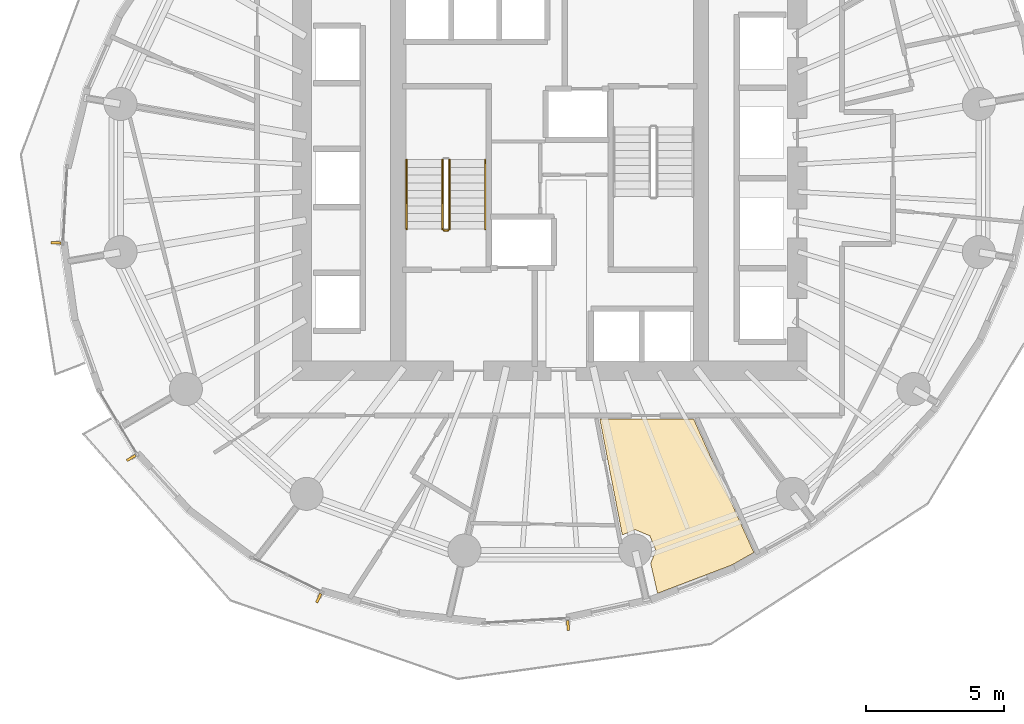
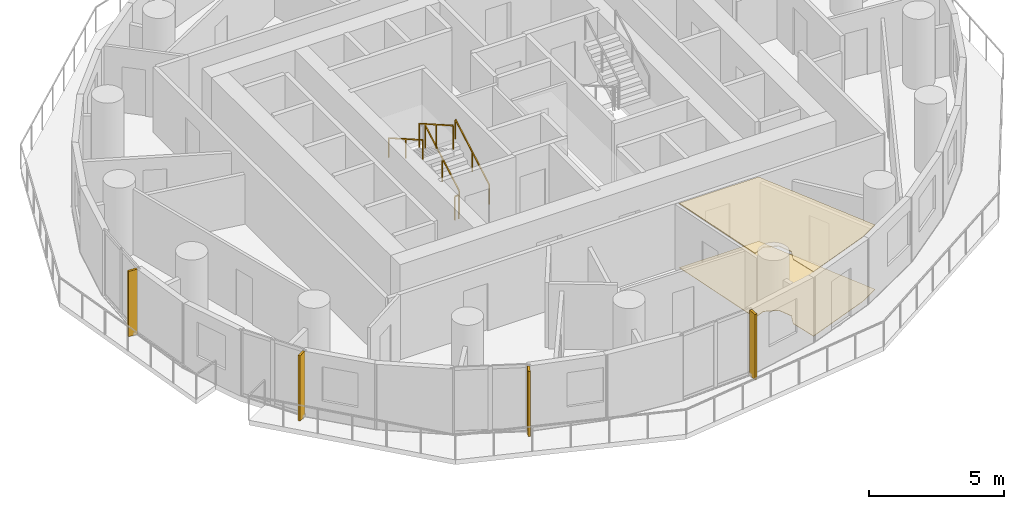
# One storey, part 11 of 15: 5 railings, 4 shading devices, 2 coverings.
"""IFC4 building model written with IfcOpenShell, lengths in metres."""

from ifc_helpers import new_model, si_unit, direction, frame, origin, origin_2d, place, context, subcontext, project, spatial, polyline, rectangle, outline, extrude, material, layer, layer_set, type_object, element, save


model = new_model("IFC4")

# Units and contexts
model_context = context("Model", 3, precision=1e-05, world=origin(), true_north=direction((0.0, 1.0)))
body_context = subcontext(model_context, "Body", "Model", "MODEL_VIEW")
ifc_project = project(units=[si_unit("LENGTHUNIT", "METRE"), si_unit("AREAUNIT", "SQUARE_METRE"), si_unit("VOLUMEUNIT", "CUBIC_METRE"), si_unit("PLANEANGLEUNIT", "RADIAN"), si_unit("MASSUNIT", "GRAM", prefix="KILO")], contexts=[model_context])

# Site, building, storey
site_placement = place(None, origin())
site = spatial("IfcSite", under=ifc_project, at=site_placement, CompositionType="ELEMENT")
building_placement = place(site_placement, origin())
building = spatial("IfcBuilding", under=site, at=building_placement, Name="Veldorim Arch Residences", CompositionType="ELEMENT")
storey_placement = place(building_placement, frame((0.0, 0.0, 106.080078125)))
storey = spatial("IfcBuildingStorey", under=building, at=storey_placement, Name="L31", CompositionType="ELEMENT", Elevation=106.080078125)

# Railings
ifc_material_1 = material(Name="Steel S355", Category="steel")
railing_type_1 = type_object("IfcRailingType", Name="Galvanised Steel Stair Safety Guardrail 1100", PredefinedType="GUARDRAIL", material=ifc_material_1)
railing_1_placement = place(storey_placement, frame((28.360107421875, 22.14990234375, 0.159912109375)))
element("IfcRailing", 1, at=railing_1_placement, inside=storey, type_object=railing_type_1, Name="L31 ST-1 stair guard 1", PredefinedType="GUARDRAIL", context=body_context, shape_type="SweptSolid", body=[
    extrude(rectangle(XDim=0.048095703125, YDim=0.048095703125, at=origin_2d()), frame((0.0, 0.0, 1.076171875), z_axis=(0.0, 0.868253494771, 0.496120820787), x_axis=(-1.0, 0.0, 0.0)), (0.0, 0.0, 1.0), 2.90234375),
    extrude(rectangle(XDim=0.0419921875, YDim=0.0419921875, at=origin_2d()), origin(), (0.0, 0.0, 1.0), 1.052001953125),
    extrude(rectangle(XDim=0.0419921875, YDim=0.0419921875, at=origin_2d()), frame((0.0, 1.260009765625, 0.719970703125)), (0.0, 0.0, 1.0), 1.052001953125),
    extrude(rectangle(XDim=0.0419921875, YDim=0.0419921875, at=origin_2d()), frame((0.0, 2.52001953125, 1.43994140625)), (0.0, 0.0, 1.0), 1.052001953125),
])
railing_2_placement = place(storey_placement, frame((28.10009765625, 24.669921875, 1.760009765625)))
element("IfcRailing", 2, at=railing_2_placement, inside=storey, type_object=railing_type_1, Name="L31 ST-1 stair guard 3", PredefinedType="GUARDRAIL", context=body_context, shape_type="SweptSolid", body=[
    extrude(rectangle(XDim=0.048095703125, YDim=0.048095703125, at=origin_2d()), frame((0.0, 0.0, 1.076171875), z_axis=(0.0, -0.868253494771, 0.496120820787), x_axis=(1.0, 0.0, 0.0)), (0.0, 0.0, 1.0), 2.90234375),
    extrude(rectangle(XDim=0.0419921875, YDim=0.0419921875, at=origin_2d()), origin(), (0.0, 0.0, 1.0), 1.052001953125),
    extrude(rectangle(XDim=0.0419921875, YDim=0.0419921875, at=origin_2d()), frame((0.0, -1.260009765625, 0.719970703125)), (0.0, 0.0, 1.0), 1.052001953125),
    extrude(rectangle(XDim=0.0419921875, YDim=0.0419921875, at=origin_2d()), frame((0.0, -2.52001953125, 1.43994140625)), (0.0, 0.0, 1.0), 1.052001953125),
])
railing_3_placement = place(storey_placement, frame((28.31005859375, 22.10009765625, 0.0)))
element("IfcRailing", 3, at=railing_3_placement, inside=storey, type_object=railing_type_1, Name="L31 ST-1 stair guard 4", PredefinedType="GUARDRAIL", context=body_context, shape_type="SweptSolid", body=[
    extrude(rectangle(XDim=0.048095703125, YDim=0.048095703125, at=origin_2d()), frame((0.0, 0.0, 1.076171875), z_axis=(-1.0, 0.0, 0.0), x_axis=(0.0, -1.0, 0.0)), (0.0, 0.0, 1.0), 0.16015625),
    extrude(rectangle(XDim=0.0419921875, YDim=0.0419921875, at=origin_2d()), origin(), (0.0, 0.0, 1.0), 1.052001953125),
    extrude(rectangle(XDim=0.0419921875, YDim=0.0419921875, at=origin_2d()), frame((-0.16015625, 0.0, 0.0)), (0.0, 0.0, 1.0), 1.052001953125),
])

# Coverings
ifc_material_2 = material(Name="Acoustic Gypsum & Mineral Fibre", Category="gypsum")
ifc_layer_1 = layer(ifc_material_2, 0.034912109375, Name="Perforated Acoustic Mineral-Fibre Ceiling 35")
ifc_layer_set_1 = layer_set([ifc_layer_1], Name="Acoustic Gypsum & Mineral Fibre")
covering_type_1 = type_object("IfcCoveringType", Name="Perforated Acoustic Mineral-Fibre Ceiling 35", PredefinedType="CEILING", material=ifc_layer_set_1)
covering_1_placement = place(storey_placement, frame((0.0, 0.0, 2.905029296875)))
element("IfcCovering", 4, at=covering_1_placement, inside=storey, type_object=covering_type_1, Name="L31 acoustic suspended ceiling 02", PredefinedType="CEILING", context=body_context, shape_type="SweptSolid", body=[
    extrude(outline(polyline([(33.820068359375, 15.25), (37.226318359375, 15.25), (39.418701171875, 10.39453125), (38.6162109375, 9.939697265625), (35.91943359375, 8.912109375), (35.669921875, 10.001708984375), (35.86181640625, 10.465087890625), (35.63916015625, 11.00244140625), (35.101806640625, 11.22509765625), (34.63818359375, 11.033203125), (33.820068359375, 15.25)])), origin(), (0.0, 0.0, 1.0), 0.034912109375),
])
ifc_material_3 = material(Name="Porcelain Ceramic Tile", Category="ceramic")
ifc_layer_2 = layer(ifc_material_3, 0.02001953125, Name="Slip-Resistant Porcelain & Vinyl Floor Finish 20")
ifc_layer_set_2 = layer_set([ifc_layer_2], Name="Porcelain Ceramic Tile")
covering_type_2 = type_object("IfcCoveringType", Name="Slip-Resistant Porcelain & Vinyl Floor Finish 20", PredefinedType="FLOORING", material=ifc_layer_set_2)
covering_2_placement = place(storey_placement, origin())
element("IfcCovering", 5, at=covering_2_placement, inside=storey, type_object=covering_type_2, Name="L31 porcelain floor finish 02", PredefinedType="FLOORING", context=body_context, shape_type="SweptSolid", body=[
    extrude(outline(polyline([(33.820068359375, 15.25), (37.226318359375, 15.25), (39.418701171875, 10.39453125), (38.6162109375, 9.939697265625), (35.91943359375, 8.912109375), (35.669921875, 10.001708984375), (35.86181640625, 10.465087890625), (35.63916015625, 11.00244140625), (35.101806640625, 11.22509765625), (34.63818359375, 11.033203125), (33.820068359375, 15.25)])), origin(), (0.0, 0.0, 1.0), 0.02001953125),
])

# Railings
ifc_material_4 = material(Name="Stainless Steel", Category="steel")
railing_type_2 = type_object("IfcRailingType", Name="Tubular Steel Continuous Wall Handrail 900", PredefinedType="HANDRAIL", material=ifc_material_4)
railing_4_placement = place(storey_placement, frame((29.659912109375, 22.14990234375, 0.159912109375)))
element("IfcRailing", 6, at=railing_4_placement, inside=storey, type_object=railing_type_2, Name="L31 ST-1 stair handrail 1", PredefinedType="HANDRAIL", context=body_context, shape_type="SweptSolid", body=[
    extrude(rectangle(XDim=0.048095703125, YDim=0.048095703125, at=origin_2d()), frame((0.0, 0.0, 0.8759765625), z_axis=(0.0, 0.868253494771, 0.496120820787), x_axis=(-1.0, 0.0, 0.0)), (0.0, 0.0, 1.0), 2.90234375),
    extrude(rectangle(XDim=0.0419921875, YDim=0.0419921875, at=origin_2d()), origin(), (0.0, 0.0, 1.0), 0.851806640625),
    extrude(rectangle(XDim=0.0419921875, YDim=0.0419921875, at=origin_2d()), frame((0.0, 1.260009765625, 0.719970703125)), (0.0, 0.0, 1.0), 0.851806640625),
    extrude(rectangle(XDim=0.0419921875, YDim=0.0419921875, at=origin_2d()), frame((0.0, 2.52001953125, 1.43994140625)), (0.0, 0.0, 1.0), 0.851806640625),
])
railing_5_placement = place(storey_placement, frame((26.800048828125, 24.669921875, 1.760009765625)))
element("IfcRailing", 7, at=railing_5_placement, inside=storey, type_object=railing_type_2, Name="L31 ST-1 stair handrail 2", PredefinedType="HANDRAIL", context=body_context, shape_type="SweptSolid", body=[
    extrude(rectangle(XDim=0.048095703125, YDim=0.048095703125, at=origin_2d()), frame((0.0, 0.0, 0.8759765625), z_axis=(0.0, -0.868253494771, 0.496120820787), x_axis=(1.0, 0.0, 0.0)), (0.0, 0.0, 1.0), 2.90234375),
    extrude(rectangle(XDim=0.0419921875, YDim=0.0419921875, at=origin_2d()), origin(), (0.0, 0.0, 1.0), 0.851806640625),
    extrude(rectangle(XDim=0.0419921875, YDim=0.0419921875, at=origin_2d()), frame((0.0, -1.260009765625, 0.719970703125)), (0.0, 0.0, 1.0), 0.851806640625),
    extrude(rectangle(XDim=0.0419921875, YDim=0.0419921875, at=origin_2d()), frame((0.0, -2.52001953125, 1.43994140625)), (0.0, 0.0, 1.0), 0.851806640625),
])

# Shading devices
ifc_material_5 = material(Name="Terracotta Ceramic", Category="masonry")
ifc_layer_3 = layer(ifc_material_5, 0.090087890625, Name="Vertical Extruded Terracotta Baguette Sun-Shading Fin")
ifc_layer_set_3 = layer_set([ifc_layer_3], Name="Terracotta Ceramic")
shading_device_type = type_object("IfcShadingDeviceType", Name="Vertical Extruded Terracotta Baguette Sun-Shading Fin", PredefinedType="USERDEFINED", material=ifc_layer_set_3)
for number, where, z_axis, x_axis, name in (
    (8, (14.058837890625, 21.649169921875, 0.0), (0.0, 0.0, 1.0), (0.053033118368, 0.998592754007, 0.0), "L31 vertical terracotta sun-shading fin 16"),
    (9, (16.790283203125, 13.82763671875, 0.0), (0.0, 0.0, 1.0), (-0.514439533782, 0.857526656194, 0.0), "L31 vertical terracotta sun-shading fin 19"),
    (10, (23.606689453125, 8.73779296875, 0.0), (0.0, 0.0, 1.0), (-0.899481528961, 0.436958784165, 0.0), "L31 vertical terracotta sun-shading fin 22"),
    (11, (32.666015625, 7.74658203125, 0.0), (0.0, 0.0, 1.0), (-0.998479491627, -0.055124448298, 0.0), "L31 vertical terracotta sun-shading fin 25"),
):
    element("IfcShadingDevice", number, at=place(storey_placement, frame(where, z_axis=z_axis, x_axis=x_axis)), inside=storey, type_object=shading_device_type, Name=name, ObjectType="FIN", PredefinedType="USERDEFINED", context=body_context, shape_type="SweptSolid", body=[
        extrude(rectangle(XDim=0.090087890625, YDim=0.360107421875, at=origin_2d()), origin(), (0.0, 0.0, 1.0), 2.9599609375),
    ])

save(model, "model.ifc")
